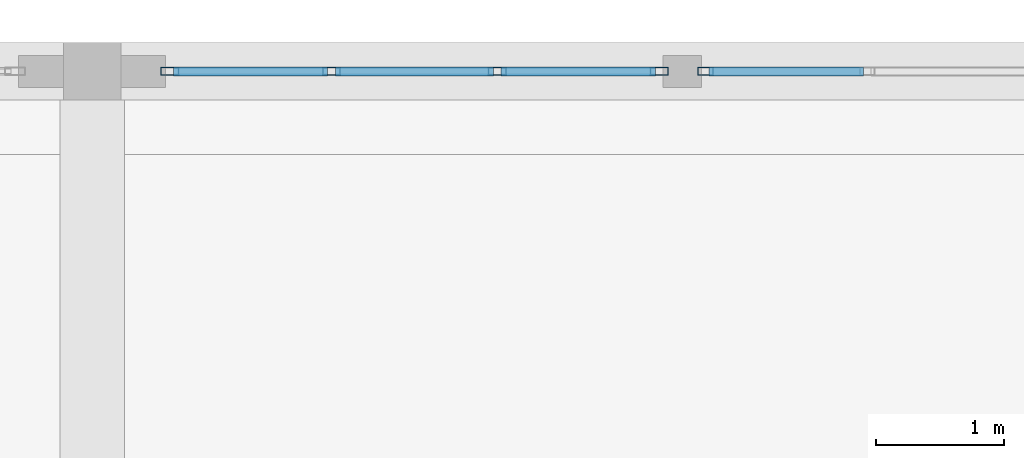
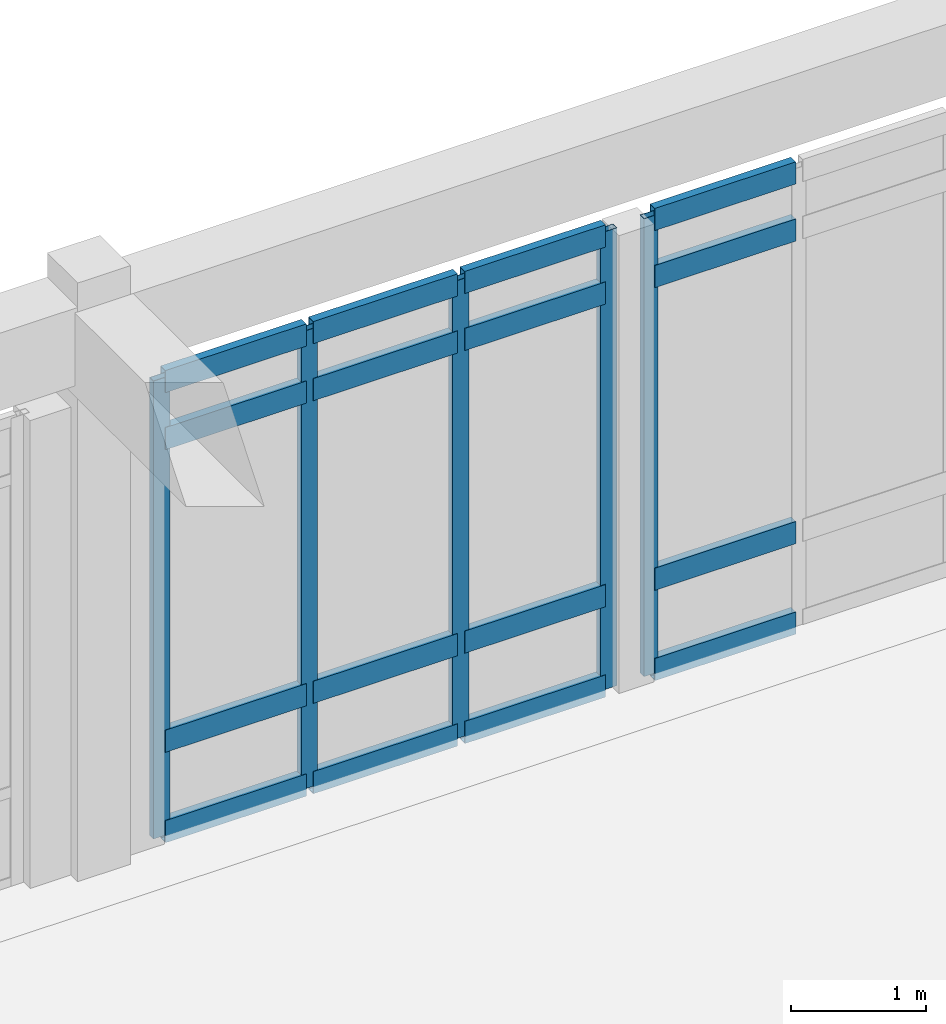
# One storey, part 54 of 138: 21 members, 2 elements without a shape of their own.
"""IFC4 building model written with IfcOpenShell, lengths in metres."""

from ifc_helpers import new_model, si_unit, direction, frame, origin, origin_2d, place, context, subcontext, project, spatial, hollow_rectangle, extrude, material, layer, layer_set, material_profile, profile_set, type_object, element, aggregate, save


model = new_model("IFC4")

# Units and contexts
model_context = context("Model", 3, precision=1e-05, world=origin(), true_north=direction((0.0, 1.0)))
body_context = subcontext(model_context, "Body", "Model", "MODEL_VIEW")
ifc_project = project(units=[si_unit("LENGTHUNIT", "METRE"), si_unit("AREAUNIT", "SQUARE_METRE"), si_unit("VOLUMEUNIT", "CUBIC_METRE"), si_unit("PLANEANGLEUNIT", "RADIAN"), si_unit("MASSUNIT", "GRAM", prefix="KILO")], contexts=[model_context])

# Site, building, storey
site_placement = place(None, origin())
site = spatial("IfcSite", under=ifc_project, at=site_placement, CompositionType="ELEMENT")
building_placement = place(site_placement, origin())
building = spatial("IfcBuilding", under=site, at=building_placement, Name="Fikremerkos Civic Library", CompositionType="ELEMENT")
storey_placement = place(building_placement, origin())
storey = spatial("IfcBuildingStorey", under=building, at=storey_placement, Name="L00", CompositionType="ELEMENT", Elevation=0.0)

# Curtain wall, members
ifc_material = material(Name="Anodized aluminium Frame", Category="aluminium")
ifc_layer_1 = layer(ifc_material, 0.159912109375, Name="Anodized aluminium Frame")
ifc_layer_set_1 = layer_set([ifc_layer_1], Name="Anodized aluminium Frame")
curtain_wall_type_1 = type_object("IfcCurtainWallType", Name="Unitised curtain wall CW-07 3500x4100", PredefinedType="USERDEFINED", material=ifc_layer_set_1)
curtain_wall_1_placement = place(storey_placement, origin())
curtain_wall_1 = element("IfcCurtainWall", 1, at=curtain_wall_1_placement, inside=storey, type_object=curtain_wall_type_1, Name="Unitised curtain wall CW-07 L00 #43", ObjectType="UNITISED CURTAIN WALL", PredefinedType="USERDEFINED")
ifc_material_profile_1 = material_profile(ifc_material, hollow_rectangle(XDim=0.06005859375, YDim=0.139892578125, WallThickness=0.00390625, at=origin_2d()), Name="ALU 140x60x4")
ifc_profile_set_1 = profile_set([ifc_material_profile_1], Name="Anodized aluminium Frame")
member_type_1 = type_object("IfcMemberType", Name="Curtain mullion CWM-03 ALU 140x60x4", PredefinedType="MULLION", material=ifc_profile_set_1)
member_1_placement = place(storey_placement, frame((73.802978515625, 117.60009765625, 0.0), z_axis=(0.0, 0.0, 1.0), x_axis=(0.0, 1.0, 0.0)))
member_1 = element("IfcMember", 2, at=member_1_placement, type_object=member_type_1, Name="CW-07 mullion 1", PredefinedType="MULLION", context=body_context, shape_type="SweptSolid", body=[
    extrude(hollow_rectangle(XDim=0.06005859375, YDim=0.139892578125, WallThickness=0.00390625, at=origin_2d()), origin(), (0.0, 0.0, 1.0), 4.1298828125),
])
member_2_placement = place(storey_placement, frame((75.065185546875, 117.60009765625, 0.0), z_axis=(0.0, 0.0, 1.0), x_axis=(0.0, 1.0, 0.0)))
member_2 = element("IfcMember", 3, at=member_2_placement, type_object=member_type_1, Name="CW-07 mullion 2", PredefinedType="MULLION", context=body_context, shape_type="SweptSolid", body=[
    extrude(hollow_rectangle(XDim=0.06005859375, YDim=0.139892578125, WallThickness=0.00390625, at=origin_2d()), origin(), (0.0, 0.0, 1.0), 4.1298828125),
])
member_3_placement = place(storey_placement, frame((76.357177734375, 117.60009765625, 0.0), z_axis=(0.0, 0.0, 1.0), x_axis=(0.0, 1.0, 0.0)))
member_3 = element("IfcMember", 4, at=member_3_placement, type_object=member_type_1, Name="CW-07 mullion 3", PredefinedType="MULLION", context=body_context, shape_type="SweptSolid", body=[
    extrude(hollow_rectangle(XDim=0.06005859375, YDim=0.139892578125, WallThickness=0.00390625, at=origin_2d()), origin(), (0.0, 0.0, 1.0), 4.1298828125),
])
member_4_placement = place(storey_placement, frame((77.619384765625, 117.60009765625, 0.0), z_axis=(0.0, 0.0, 1.0), x_axis=(0.0, 1.0, 0.0)))
member_4 = element("IfcMember", 5, at=member_4_placement, type_object=member_type_1, Name="CW-07 mullion 4", PredefinedType="MULLION", context=body_context, shape_type="SweptSolid", body=[
    extrude(hollow_rectangle(XDim=0.06005859375, YDim=0.139892578125, WallThickness=0.00390625, at=origin_2d()), origin(), (0.0, 0.0, 1.0), 4.1298828125),
])

# Curtain wall, member
ifc_layer_2 = layer(ifc_material, 0.159912109375, Name="Anodized aluminium Frame")
ifc_layer_set_2 = layer_set([ifc_layer_2], Name="Anodized aluminium Frame")
curtain_wall_type_2 = type_object("IfcCurtainWallType", Name="Unitised curtain wall CW-08 4500x4100", PredefinedType="USERDEFINED", material=ifc_layer_set_2)
curtain_wall_2_placement = place(storey_placement, origin())
curtain_wall_2 = element("IfcCurtainWall", 6, at=curtain_wall_2_placement, inside=storey, type_object=curtain_wall_type_2, Name="Unitised curtain wall CW-08 L00 #44", ObjectType="UNITISED CURTAIN WALL", PredefinedType="USERDEFINED")
ifc_material_profile_2 = material_profile(ifc_material, hollow_rectangle(XDim=0.06005859375, YDim=0.1201171875, WallThickness=0.00390625, at=origin_2d()), Name="ALU 120x60x4")
ifc_profile_set_2 = profile_set([ifc_material_profile_2], Name="Anodized aluminium Frame")
member_type_2 = type_object("IfcMemberType", Name="Curtain mullion CWM-04 ALU 120x60x4", PredefinedType="MULLION", material=ifc_profile_set_2)
member_5_placement = place(storey_placement, frame((77.979248046875, 117.60009765625, 0.0), z_axis=(0.0, 0.0, 1.0), x_axis=(0.0, 1.0, 0.0)))
member_5 = element("IfcMember", 7, at=member_5_placement, type_object=member_type_2, Name="CW-08 mullion 1", PredefinedType="MULLION", context=body_context, shape_type="SweptSolid", body=[
    extrude(hollow_rectangle(XDim=0.06005859375, YDim=0.1201171875, WallThickness=0.00390625, at=origin_2d()), origin(), (0.0, 0.0, 1.0), 4.1298828125),
])

# Member
ifc_material_profile_3 = material_profile(ifc_material, hollow_rectangle(XDim=0.070068359375, YDim=0.199951171875, WallThickness=0.0048828125, at=origin_2d()), Name="ALU 200x70x5")
ifc_profile_set_3 = profile_set([ifc_material_profile_3], Name="Anodized aluminium Frame")
member_type_3 = type_object("IfcMemberType", Name="Curtain transom CWT-04 ALU 200x70x5", PredefinedType="USERDEFINED", material=ifc_profile_set_3)
member_6_placement = place(storey_placement, frame((73.8330078125, 117.60009765625, 0.034912109375), z_axis=(1.0, 0.0, 0.0), x_axis=(0.0, 1.0, 0.0)))
member_6 = element("IfcMember", 8, at=member_6_placement, type_object=member_type_3, Name="CW-07 transom 1.1", ObjectType="TRANSOM", PredefinedType="USERDEFINED", context=body_context, shape_type="SweptSolid", body=[
    extrude(hollow_rectangle(XDim=0.070068359375, YDim=0.199951171875, WallThickness=0.0048828125, at=origin_2d()), origin(), (0.0, 0.0, 1.0), 1.2021484375),
])

member_7_placement = place(storey_placement, frame((73.8330078125, 117.60009765625, 0.85009765625), z_axis=(1.0, 0.0, 0.0), x_axis=(0.0, 1.0, 0.0)))
member_7 = element("IfcMember", 9, at=member_7_placement, type_object=member_type_3, Name="CW-07 transom 1.2", ObjectType="TRANSOM", PredefinedType="USERDEFINED", context=body_context, shape_type="SweptSolid", body=[
    extrude(hollow_rectangle(XDim=0.070068359375, YDim=0.199951171875, WallThickness=0.0048828125, at=origin_2d()), origin(), (0.0, 0.0, 1.0), 1.2021484375),
])

member_8_placement = place(storey_placement, frame((73.8330078125, 117.60009765625, 3.580078125), z_axis=(1.0, 0.0, 0.0), x_axis=(0.0, 1.0, 0.0)))
member_8 = element("IfcMember", 10, at=member_8_placement, type_object=member_type_3, Name="CW-07 transom 1.3", ObjectType="TRANSOM", PredefinedType="USERDEFINED", context=body_context, shape_type="SweptSolid", body=[
    extrude(hollow_rectangle(XDim=0.070068359375, YDim=0.199951171875, WallThickness=0.0048828125, at=origin_2d()), origin(), (0.0, 0.0, 1.0), 1.2021484375),
])

member_9_placement = place(storey_placement, frame((73.8330078125, 117.60009765625, 4.094970703125), z_axis=(1.0, 0.0, 0.0), x_axis=(0.0, 1.0, 0.0)))
member_9 = element("IfcMember", 11, at=member_9_placement, type_object=member_type_3, Name="CW-07 transom 1.4", ObjectType="TRANSOM", PredefinedType="USERDEFINED", context=body_context, shape_type="SweptSolid", body=[
    extrude(hollow_rectangle(XDim=0.070068359375, YDim=0.199951171875, WallThickness=0.0048828125, at=origin_2d()), origin(), (0.0, 0.0, 1.0), 1.2021484375),
])

member_10_placement = place(storey_placement, frame((75.09521484375, 117.60009765625, 0.034912109375), z_axis=(1.0, 0.0, 0.0), x_axis=(0.0, 1.0, 0.0)))
member_10 = element("IfcMember", 12, at=member_10_placement, type_object=member_type_3, Name="CW-07 transom 2.1", ObjectType="TRANSOM", PredefinedType="USERDEFINED", context=body_context, shape_type="SweptSolid", body=[
    extrude(hollow_rectangle(XDim=0.070068359375, YDim=0.199951171875, WallThickness=0.0048828125, at=origin_2d()), origin(), (0.0, 0.0, 1.0), 1.23193359375),
])

member_11_placement = place(storey_placement, frame((75.09521484375, 117.60009765625, 0.85009765625), z_axis=(1.0, 0.0, 0.0), x_axis=(0.0, 1.0, 0.0)))
member_11 = element("IfcMember", 13, at=member_11_placement, type_object=member_type_3, Name="CW-07 transom 2.2", ObjectType="TRANSOM", PredefinedType="USERDEFINED", context=body_context, shape_type="SweptSolid", body=[
    extrude(hollow_rectangle(XDim=0.070068359375, YDim=0.199951171875, WallThickness=0.0048828125, at=origin_2d()), origin(), (0.0, 0.0, 1.0), 1.23193359375),
])

member_12_placement = place(storey_placement, frame((75.09521484375, 117.60009765625, 3.580078125), z_axis=(1.0, 0.0, 0.0), x_axis=(0.0, 1.0, 0.0)))
member_12 = element("IfcMember", 14, at=member_12_placement, type_object=member_type_3, Name="CW-07 transom 2.3", ObjectType="TRANSOM", PredefinedType="USERDEFINED", context=body_context, shape_type="SweptSolid", body=[
    extrude(hollow_rectangle(XDim=0.070068359375, YDim=0.199951171875, WallThickness=0.0048828125, at=origin_2d()), origin(), (0.0, 0.0, 1.0), 1.23193359375),
])

member_13_placement = place(storey_placement, frame((75.09521484375, 117.60009765625, 4.094970703125), z_axis=(1.0, 0.0, 0.0), x_axis=(0.0, 1.0, 0.0)))
member_13 = element("IfcMember", 15, at=member_13_placement, type_object=member_type_3, Name="CW-07 transom 2.4", ObjectType="TRANSOM", PredefinedType="USERDEFINED", context=body_context, shape_type="SweptSolid", body=[
    extrude(hollow_rectangle(XDim=0.070068359375, YDim=0.199951171875, WallThickness=0.0048828125, at=origin_2d()), origin(), (0.0, 0.0, 1.0), 1.23193359375),
])

member_14_placement = place(storey_placement, frame((76.38720703125, 117.60009765625, 0.034912109375), z_axis=(1.0, 0.0, 0.0), x_axis=(0.0, 1.0, 0.0)))
member_14 = element("IfcMember", 16, at=member_14_placement, type_object=member_type_3, Name="CW-07 transom 3.1", ObjectType="TRANSOM", PredefinedType="USERDEFINED", context=body_context, shape_type="SweptSolid", body=[
    extrude(hollow_rectangle(XDim=0.070068359375, YDim=0.199951171875, WallThickness=0.0048828125, at=origin_2d()), origin(), (0.0, 0.0, 1.0), 1.2021484375),
])

member_15_placement = place(storey_placement, frame((76.38720703125, 117.60009765625, 0.85009765625), z_axis=(1.0, 0.0, 0.0), x_axis=(0.0, 1.0, 0.0)))
member_15 = element("IfcMember", 17, at=member_15_placement, type_object=member_type_3, Name="CW-07 transom 3.2", ObjectType="TRANSOM", PredefinedType="USERDEFINED", context=body_context, shape_type="SweptSolid", body=[
    extrude(hollow_rectangle(XDim=0.070068359375, YDim=0.199951171875, WallThickness=0.0048828125, at=origin_2d()), origin(), (0.0, 0.0, 1.0), 1.2021484375),
])

member_16_placement = place(storey_placement, frame((76.38720703125, 117.60009765625, 3.580078125), z_axis=(1.0, 0.0, 0.0), x_axis=(0.0, 1.0, 0.0)))
member_16 = element("IfcMember", 18, at=member_16_placement, type_object=member_type_3, Name="CW-07 transom 3.3", ObjectType="TRANSOM", PredefinedType="USERDEFINED", context=body_context, shape_type="SweptSolid", body=[
    extrude(hollow_rectangle(XDim=0.070068359375, YDim=0.199951171875, WallThickness=0.0048828125, at=origin_2d()), origin(), (0.0, 0.0, 1.0), 1.2021484375),
])

member_17_placement = place(storey_placement, frame((76.38720703125, 117.60009765625, 4.094970703125), z_axis=(1.0, 0.0, 0.0), x_axis=(0.0, 1.0, 0.0)))
member_17 = element("IfcMember", 19, at=member_17_placement, type_object=member_type_3, Name="CW-07 transom 3.4", ObjectType="TRANSOM", PredefinedType="USERDEFINED", context=body_context, shape_type="SweptSolid", body=[
    extrude(hollow_rectangle(XDim=0.070068359375, YDim=0.199951171875, WallThickness=0.0048828125, at=origin_2d()), origin(), (0.0, 0.0, 1.0), 1.2021484375),
])

aggregate(curtain_wall_1, [member_1, member_2, member_3, member_4, member_6, member_7, member_8, member_9, member_10, member_11, member_12, member_13, member_14, member_15, member_16, member_17])

member_18_placement = place(storey_placement, frame((78.00927734375, 117.60009765625, 0.034912109375), z_axis=(1.0, 0.0, 0.0), x_axis=(0.0, 1.0, 0.0)))
member_18 = element("IfcMember", 20, at=member_18_placement, type_object=member_type_3, Name="CW-08 transom 1.1", ObjectType="TRANSOM", PredefinedType="USERDEFINED", context=body_context, shape_type="SweptSolid", body=[
    extrude(hollow_rectangle(XDim=0.070068359375, YDim=0.199951171875, WallThickness=0.0048828125, at=origin_2d()), origin(), (0.0, 0.0, 1.0), 1.2021484375),
])

member_19_placement = place(storey_placement, frame((78.00927734375, 117.60009765625, 0.85009765625), z_axis=(1.0, 0.0, 0.0), x_axis=(0.0, 1.0, 0.0)))
member_19 = element("IfcMember", 21, at=member_19_placement, type_object=member_type_3, Name="CW-08 transom 1.2", ObjectType="TRANSOM", PredefinedType="USERDEFINED", context=body_context, shape_type="SweptSolid", body=[
    extrude(hollow_rectangle(XDim=0.070068359375, YDim=0.199951171875, WallThickness=0.0048828125, at=origin_2d()), origin(), (0.0, 0.0, 1.0), 1.2021484375),
])

member_20_placement = place(storey_placement, frame((78.00927734375, 117.60009765625, 3.580078125), z_axis=(1.0, 0.0, 0.0), x_axis=(0.0, 1.0, 0.0)))
member_20 = element("IfcMember", 22, at=member_20_placement, type_object=member_type_3, Name="CW-08 transom 1.3", ObjectType="TRANSOM", PredefinedType="USERDEFINED", context=body_context, shape_type="SweptSolid", body=[
    extrude(hollow_rectangle(XDim=0.070068359375, YDim=0.199951171875, WallThickness=0.0048828125, at=origin_2d()), origin(), (0.0, 0.0, 1.0), 1.2021484375),
])

member_21_placement = place(storey_placement, frame((78.00927734375, 117.60009765625, 4.094970703125), z_axis=(1.0, 0.0, 0.0), x_axis=(0.0, 1.0, 0.0)))
member_21 = element("IfcMember", 23, at=member_21_placement, type_object=member_type_3, Name="CW-08 transom 1.4", ObjectType="TRANSOM", PredefinedType="USERDEFINED", context=body_context, shape_type="SweptSolid", body=[
    extrude(hollow_rectangle(XDim=0.070068359375, YDim=0.199951171875, WallThickness=0.0048828125, at=origin_2d()), origin(), (0.0, 0.0, 1.0), 1.2021484375),
])

aggregate(curtain_wall_2, [member_5, member_18, member_19, member_20, member_21])

save(model, "model.ifc")
